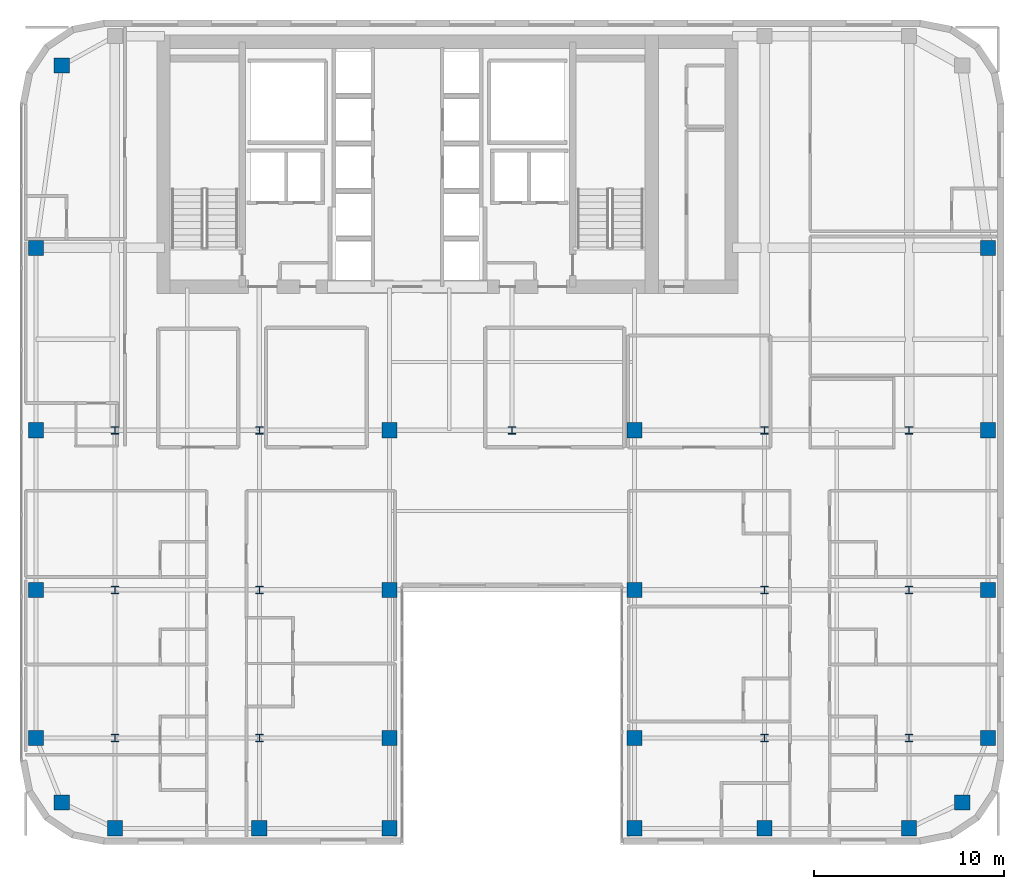
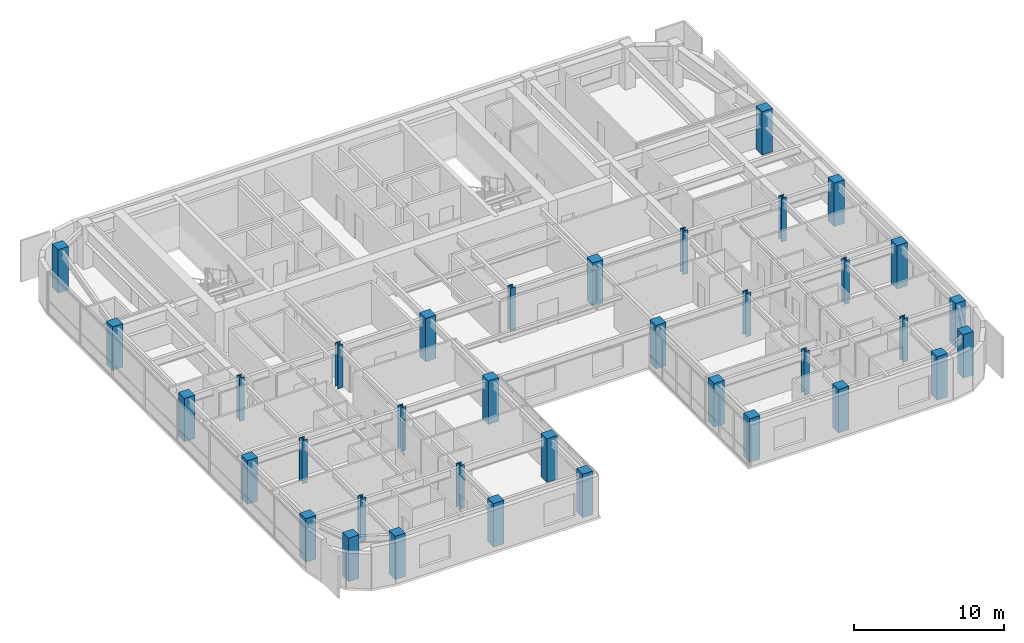
# One storey, part 1 of 24: 36 columns.
"""IFC4 building model written with IfcOpenShell, lengths in metres."""

from ifc_helpers import new_model, si_unit, direction, frame, origin, origin_2d, place, context, subcontext, project, spatial, rectangle, i_section, extrude, source, transform, mapped, material, material_profile, profile_set, type_object, type_shapes, element, save


model = new_model("IFC4")

# Units and contexts
model_context = context("Model", 3, precision=1e-05, world=origin(), true_north=direction((0.0, 1.0)))
body_context = subcontext(model_context, "Body", "Model", "MODEL_VIEW")
ifc_project = project(units=[si_unit("LENGTHUNIT", "METRE"), si_unit("AREAUNIT", "SQUARE_METRE"), si_unit("VOLUMEUNIT", "CUBIC_METRE"), si_unit("PLANEANGLEUNIT", "RADIAN"), si_unit("MASSUNIT", "GRAM", prefix="KILO")], contexts=[model_context])

# Site, building, storey
site_placement = place(None, origin())
site = spatial("IfcSite", under=ifc_project, at=site_placement, CompositionType="ELEMENT")
building_placement = place(site_placement, origin())
building = spatial("IfcBuilding", under=site, at=building_placement, Name="Tolvann Quenvar Hotel", CompositionType="ELEMENT")
storey_placement = place(building_placement, frame((0.0, 0.0, 157.699951171875)))
storey = spatial("IfcBuildingStorey", under=building, at=storey_placement, Name="L41", CompositionType="ELEMENT", Elevation=157.699951171875)

# Columns
ifc_material_1 = material(Name="Concrete N50 (50 MPa)", Category="concrete")
ifc_material_profile_1 = material_profile(ifc_material_1, rectangle(XDim=0.800048828125, YDim=0.800048828125, at=origin_2d()), Name="RC800x800")
ifc_profile_set_1 = profile_set([ifc_material_profile_1], Name="Concrete N50 (50 MPa)")
column_type_1 = type_object("IfcColumnType", Name="COL_RC800", PredefinedType="COLUMN", material=ifc_profile_set_1)
shared_shape_1 = source(origin(), body_context, "Body", "SweptSolid", [
    extrude(rectangle(XDim=0.800048828125, YDim=0.800048828125, at=origin_2d()), origin(), (0.0, 0.0, 1.0), 3.550048828125),
])
type_shapes(column_type_1, [shared_shape_1])
for number, where, z_axis, x_axis, name in (
    (1, (4.800048828125, 4.800048828125, 0.0), (0.0, 0.0, 1.0), (1.0, 0.0, 0.0), "Column B2 (L41)"),
    (2, (3.449951171875, 8.199951171875, 0.0), (0.0, 0.0, 1.0), (1.0, 0.0, 0.0), "Column B3 (L41)"),
    (3, (3.449951171875, 16.0, 0.0), (0.0, 0.0, 1.0), (1.0, 0.0, 0.0), "Column B4 (L41)"),
    (4, (3.449951171875, 24.39990234375, 0.0), (0.0, 0.0, 1.0), (1.0, 0.0, 0.0), "Column B5 (L41)"),
    (5, (7.60009765625, 3.449951171875, 0.0), (0.0, 0.0, 1.0), (1.0, 0.0, 0.0), "Column C2 (L41)"),
    (6, (15.199951171875, 3.449951171875, 0.0), (0.0, 0.0, 1.0), (1.0, 0.0, 0.0), "Column D2 (L41)"),
    (7, (22.050048828125, 3.449951171875, 0.0), (0.0, 0.0, 1.0), (1.0, 0.0, 0.0), "Column E2 (L41)"),
    (8, (22.050048828125, 8.199951171875, 0.0), (0.0, 0.0, 1.0), (1.0, 0.0, 0.0), "Column E3 (L41)"),
    (9, (22.050048828125, 16.0, 0.0), (0.0, 0.0, 1.0), (1.0, 0.0, 0.0), "Column E4 (L41)"),
    (10, (22.050048828125, 24.39990234375, 0.0), (0.0, 0.0, 1.0), (1.0, 0.0, 0.0), "Column E5 (L41)"),
    (11, (34.949951171875, 3.449951171875, 0.0), (0.0, 0.0, 1.0), (1.0, 0.0, 0.0), "Column F2 (L41)"),
    (12, (34.949951171875, 8.199951171875, 0.0), (0.0, 0.0, 1.0), (1.0, 0.0, 0.0), "Column F3 (L41)"),
    (13, (34.949951171875, 16.0, 0.0), (0.0, 0.0, 1.0), (1.0, 0.0, 0.0), "Column F4 (L41)"),
    (14, (34.949951171875, 24.39990234375, 0.0), (0.0, 0.0, 1.0), (1.0, 0.0, 0.0), "Column F5 (L41)"),
    (15, (41.800048828125, 3.449951171875, 0.0), (0.0, 0.0, 1.0), (1.0, 0.0, 0.0), "Column H2 (L41)"),
    (16, (49.39990234375, 3.449951171875, 0.0), (0.0, 0.0, 1.0), (1.0, 0.0, 0.0), "Column I2 (L41)"),
    (17, (52.199951171875, 4.800048828125, 0.0), (0.0, 0.0, 1.0), (1.0, 0.0, 0.0), "Column J2 (L41)"),
    (18, (53.550048828125, 8.199951171875, 0.0), (0.0, 0.0, 1.0), (1.0, 0.0, 0.0), "Column J3 (L41)"),
    (19, (53.550048828125, 16.0, 0.0), (0.0, 0.0, 1.0), (1.0, 0.0, 0.0), "Column J4 (L41)"),
    (20, (53.550048828125, 24.39990234375, 0.0), (0.0, 0.0, 1.0), (1.0, 0.0, 0.0), "Column J5 (L41)"),
    (21, (4.800048828125, 43.60009765625, 0.0), (0.0, 0.0, 1.0), (1.0, 0.0, 0.0), "Column BN (L41)"),
    (22, (3.449951171875, 34.0, 0.0), (0.0, 0.0, 1.0), (1.0, 0.0, 0.0), "Column BD6 (L41)"),
    (23, (53.550048828125, 34.0, 0.0), (0.0, 0.0, 1.0), (1.0, 0.0, 0.0), "Column JD6 (L41)"),
):
    element("IfcColumn", number, at=place(storey_placement, frame(where, z_axis=z_axis, x_axis=x_axis)), inside=storey, type_object=column_type_1, Name=name, PredefinedType="COLUMN", context=body_context, shape_type="MappedRepresentation", body=[
        mapped(shared_shape_1, transform((0.0, 0.0, 0.0), x_axis=(1.0, 0.0, 0.0), y_axis=(0.0, 1.0, 0.0), z_axis=(0.0, 0.0, 1.0), scale=1.0)),
    ])
ifc_material_2 = material(Name="Steel Grade 350", Category="steel")
ifc_material_profile_2 = material_profile(ifc_material_2, i_section(OverallWidth=0.39990234375, OverallDepth=0.39990234375, WebThickness=0.02001953125, FlangeThickness=0.034912109375, at=origin_2d()), Name="400WC270")
ifc_profile_set_2 = profile_set([ifc_material_profile_2], Name="Steel Grade 350")
column_type_2 = type_object("IfcColumnType", Name="COL_400WC270", PredefinedType="COLUMN", material=ifc_profile_set_2)
shared_shape_2 = source(origin(), body_context, "Body", "SweptSolid", [
    extrude(i_section(OverallWidth=0.39990234375, OverallDepth=0.39990234375, WebThickness=0.02001953125, FlangeThickness=0.034912109375, at=origin_2d()), origin(), (0.0, 0.0, 1.0), 3.550048828125),
])
type_shapes(column_type_2, [shared_shape_2])
for number, where, z_axis, x_axis, name in (
    (24, (7.60009765625, 8.199951171875, 0.0), (0.0, 0.0, 1.0), (1.0, 0.0, 0.0), "Column C3 (L41)"),
    (25, (7.60009765625, 16.0, 0.0), (0.0, 0.0, 1.0), (1.0, 0.0, 0.0), "Column C4 (L41)"),
    (26, (7.60009765625, 24.39990234375, 0.0), (0.0, 0.0, 1.0), (1.0, 0.0, 0.0), "Column C5 (L41)"),
    (27, (15.199951171875, 8.199951171875, 0.0), (0.0, 0.0, 1.0), (1.0, 0.0, 0.0), "Column D3 (L41)"),
    (28, (15.199951171875, 16.0, 0.0), (0.0, 0.0, 1.0), (1.0, 0.0, 0.0), "Column D4 (L41)"),
    (29, (15.199951171875, 24.39990234375, 0.0), (0.0, 0.0, 1.0), (1.0, 0.0, 0.0), "Column D5 (L41)"),
    (30, (41.800048828125, 8.199951171875, 0.0), (0.0, 0.0, 1.0), (1.0, 0.0, 0.0), "Column H3 (L41)"),
    (31, (41.800048828125, 16.0, 0.0), (0.0, 0.0, 1.0), (1.0, 0.0, 0.0), "Column H4 (L41)"),
    (32, (41.800048828125, 24.39990234375, 0.0), (0.0, 0.0, 1.0), (1.0, 0.0, 0.0), "Column H5 (L41)"),
    (33, (49.39990234375, 8.199951171875, 0.0), (0.0, 0.0, 1.0), (1.0, 0.0, 0.0), "Column I3 (L41)"),
    (34, (49.39990234375, 16.0, 0.0), (0.0, 0.0, 1.0), (1.0, 0.0, 0.0), "Column I4 (L41)"),
    (35, (49.39990234375, 24.39990234375, 0.0), (0.0, 0.0, 1.0), (1.0, 0.0, 0.0), "Column I5 (L41)"),
    (36, (28.5, 24.39990234375, 0.0), (0.0, 0.0, 1.0), (1.0, 0.0, 0.0), "Column M5 (L41)"),
):
    element("IfcColumn", number, at=place(storey_placement, frame(where, z_axis=z_axis, x_axis=x_axis)), inside=storey, type_object=column_type_2, Name=name, PredefinedType="COLUMN", context=body_context, shape_type="MappedRepresentation", body=[
        mapped(shared_shape_2, transform((0.0, 0.0, 0.0), x_axis=(1.0, 0.0, 0.0), y_axis=(0.0, 1.0, 0.0), z_axis=(0.0, 0.0, 1.0), scale=1.0)),
    ])

save(model, "model.ifc")
